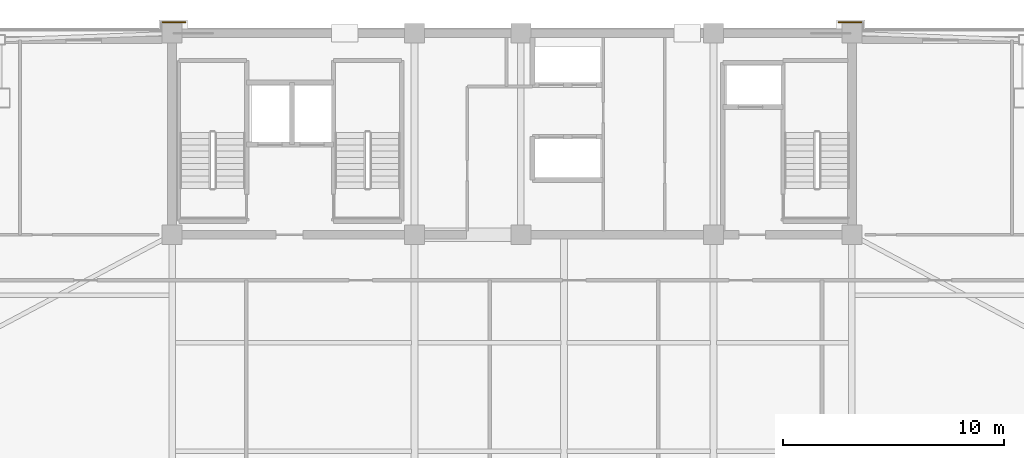
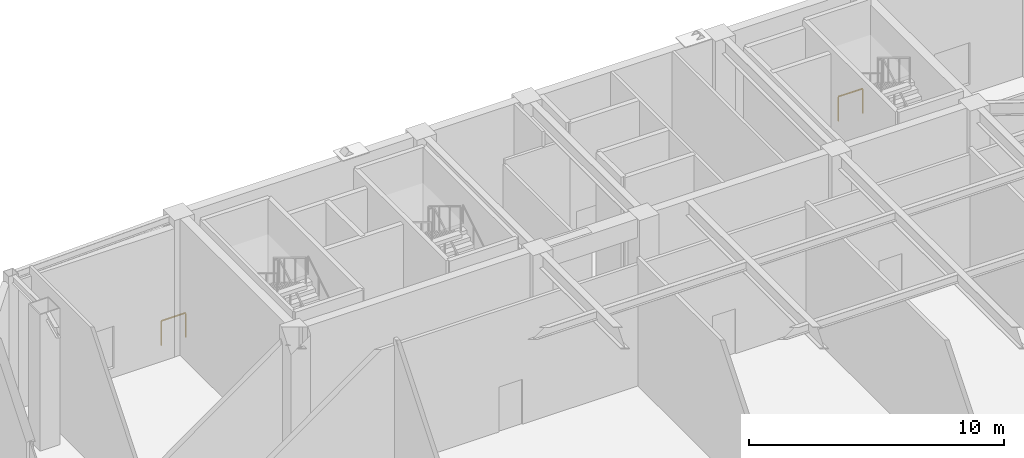
# One storey, part 15 of 15: 2 railings.
"""IFC4 building model written with IfcOpenShell, lengths in metres."""

from ifc_helpers import new_model, si_unit, direction, frame, origin, origin_2d, place, context, subcontext, project, spatial, rectangle, extrude, material, type_object, element, save


model = new_model("IFC4")

# Units and contexts
model_context = context("Model", 3, precision=1e-05, world=origin(), true_north=direction((0.0, 1.0)))
body_context = subcontext(model_context, "Body", "Model", "MODEL_VIEW")
ifc_project = project(units=[si_unit("LENGTHUNIT", "METRE"), si_unit("AREAUNIT", "SQUARE_METRE"), si_unit("VOLUMEUNIT", "CUBIC_METRE"), si_unit("PLANEANGLEUNIT", "RADIAN"), si_unit("MASSUNIT", "GRAM", prefix="KILO")], contexts=[model_context])

# Site, building, storey
site_placement = place(None, origin())
site = spatial("IfcSite", under=ifc_project, at=site_placement, CompositionType="ELEMENT")
building_placement = place(site_placement, origin())
building = spatial("IfcBuilding", under=site, at=building_placement, Name="Giltprow Tower", CompositionType="ELEMENT")
storey_placement = place(building_placement, frame((0.0, 0.0, 279.10009765625)))
storey = spatial("IfcBuildingStorey", under=building, at=storey_placement, Name="L72", CompositionType="ELEMENT", Elevation=279.10009765625)

# Railings
ifc_material = material(Name="Anodized bronze", Category="metal")
railing_type = type_object("IfcRailingType", Name="RAIL-BALC-GUARD-1200", PredefinedType="BALUSTRADE", material=ifc_material)
railing_1_placement = place(storey_placement, frame((19.35009765625, 47.050048828125, 0.0)))
element("IfcRailing", 1, at=railing_1_placement, inside=storey, type_object=railing_type, Name="L72 Corner Apron Edge Balustrade 21", PredefinedType="BALUSTRADE", context=body_context, shape_type="SweptSolid", body=[
    extrude(rectangle(XDim=0.048095703125, YDim=0.048095703125, at=origin_2d()), frame((0.0, 0.0, 1.17578125), z_axis=(1.0, 0.0, 0.0), x_axis=(0.0, 1.0, 0.0)), (0.0, 0.0, 1.0), 1.099853515625),
    extrude(rectangle(XDim=0.0419921875, YDim=0.0419921875, at=origin_2d()), origin(), (0.0, 0.0, 1.0), 1.15185546875),
    extrude(rectangle(XDim=0.0419921875, YDim=0.0419921875, at=origin_2d()), frame((1.099853515625, 0.0, 0.0)), (0.0, 0.0, 1.0), 1.15185546875),
])
railing_2_placement = place(storey_placement, frame((49.949951171875, 47.050048828125, 0.0)))
element("IfcRailing", 2, at=railing_2_placement, inside=storey, type_object=railing_type, Name="L72 Corner Apron Edge Balustrade 22", PredefinedType="BALUSTRADE", context=body_context, shape_type="SweptSolid", body=[
    extrude(rectangle(XDim=0.048095703125, YDim=0.048095703125, at=origin_2d()), frame((0.0, 0.0, 1.17578125), z_axis=(1.0, 0.0, 0.0), x_axis=(0.0, 1.0, 0.0)), (0.0, 0.0, 1.0), 1.10009765625),
    extrude(rectangle(XDim=0.0419921875, YDim=0.0419921875, at=origin_2d()), origin(), (0.0, 0.0, 1.0), 1.15185546875),
    extrude(rectangle(XDim=0.0419921875, YDim=0.0419921875, at=origin_2d()), frame((1.10009765625, 0.0, 0.0)), (0.0, 0.0, 1.0), 1.15185546875),
])

save(model, "model.ifc")
